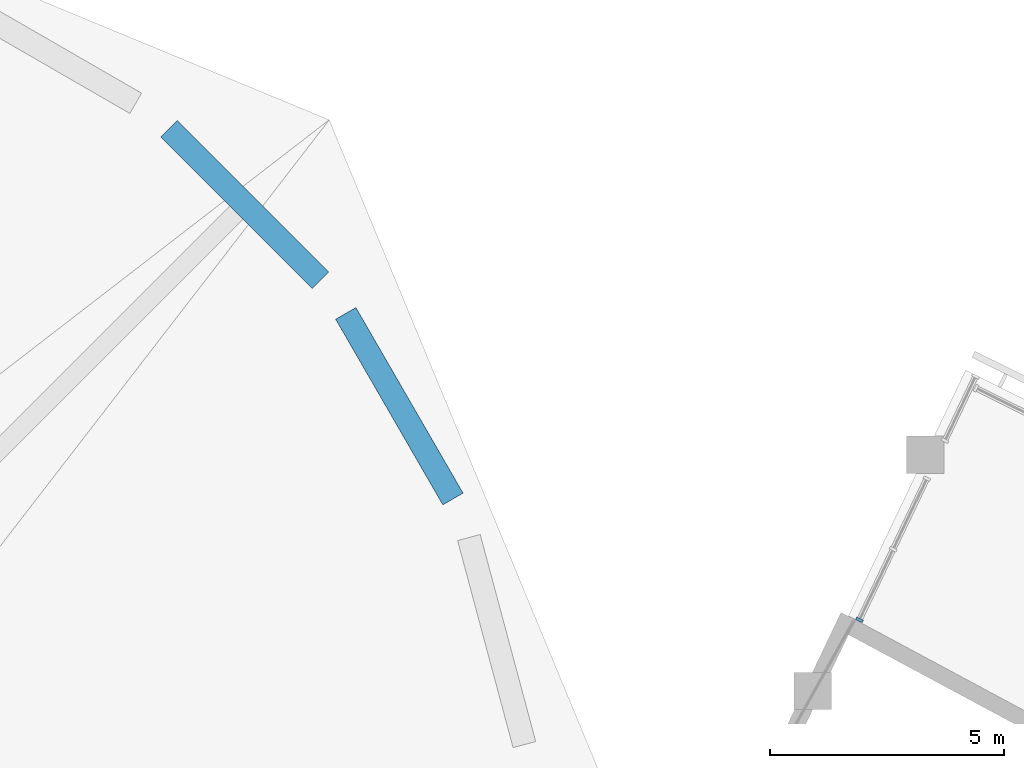
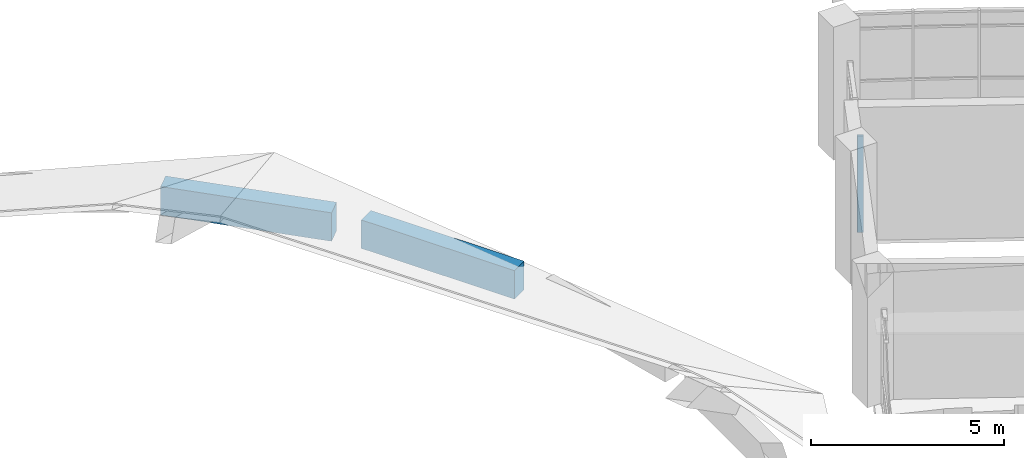
# One storey, part 13 of 137: 2 beams, 1 member, 1 element without a shape of its own.
"""IFC4 building model written with IfcOpenShell, lengths in metres."""

from ifc_helpers import new_model, si_unit, direction, frame, origin, origin_2d, place, context, subcontext, project, spatial, rectangle, extrude, material, material_profile, profile_set, type_object, element, aggregate, save


model = new_model("IFC4")

# Units and contexts
model_context = context("Model", 3, precision=1e-05, world=origin(), true_north=direction((0.0, 1.0)))
body_context = subcontext(model_context, "Body", "Model", "MODEL_VIEW")
ifc_project = project(units=[si_unit("LENGTHUNIT", "METRE"), si_unit("AREAUNIT", "SQUARE_METRE"), si_unit("VOLUMEUNIT", "CUBIC_METRE"), si_unit("PLANEANGLEUNIT", "RADIAN"), si_unit("MASSUNIT", "GRAM", prefix="KILO")], contexts=[model_context])

# Site, building, storey
site_placement = place(None, origin())
site = spatial("IfcSite", under=ifc_project, at=site_placement, CompositionType="ELEMENT")
building_placement = place(site_placement, origin())
building = spatial("IfcBuilding", under=site, at=building_placement, Name="Bougainvillea Quay General Hospital", CompositionType="ELEMENT")
storey_placement = place(building_placement, frame((0.0, 0.0, 16.800048828125)))
storey = spatial("IfcBuildingStorey", under=building, at=storey_placement, Name="L03", CompositionType="ELEMENT", Elevation=16.800048828125)

# Curtain wall, member
ifc_material_1 = material(Name="Aluminium curtain wall system, powder-coated glazed", Category="aluminium")
curtain_wall_type = type_object("IfcCurtainWallType", Name="Unitised curtain wall CW-1703", PredefinedType="NOTDEFINED", material=ifc_material_1)
curtain_wall_placement = place(storey_placement, origin())
curtain_wall = element("IfcCurtainWall", 1, at=curtain_wall_placement, inside=storey, type_object=curtain_wall_type, Name="CW-AE 01", PredefinedType="NOTDEFINED")
ifc_material_2 = material(Name="Aluminium mullion, powder-coated charcoal", Category="aluminium")
ifc_material_profile_1 = material_profile(ifc_material_2, rectangle(XDim=0.159912109375, YDim=0.06005859375, at=origin_2d()))
ifc_profile_set_1 = profile_set([ifc_material_profile_1], Name="Aluminium mullion, powder-coated charcoal")
member_type = type_object("IfcMemberType", Name="Curtain wall mullion 160x60", PredefinedType="MULLION", material=ifc_profile_set_1)
member_placement = place(storey_placement, frame((137.066650390625, 79.842529296875, 0.0), z_axis=(0.0, 0.0, 1.0), x_axis=(0.902578440897, -0.430525444112, 0.0)))
member = element("IfcMember", 2, at=member_placement, type_object=member_type, Name="CW-AE mullion 3", PredefinedType="MULLION", context=body_context, shape_type="SweptSolid", body=[
    extrude(rectangle(XDim=0.159912109375, YDim=0.06005859375, at=origin_2d()), origin(), (0.0, 0.0, 1.0), 3.050048828125),
])
aggregate(curtain_wall, [member])

# Beams
ifc_material_3 = material(Name="Concrete C40", Category="concrete")
ifc_material_profile_2 = material_profile(ifc_material_3, rectangle(XDim=0.5, YDim=0.89990234375, at=origin_2d()))
ifc_profile_set_2 = profile_set([ifc_material_profile_2], Name="Concrete C40")
beam_type = type_object("IfcBeamType", Name="RC BEAM 500x900 C40", PredefinedType="BEAM", material=ifc_profile_set_2)
beam_1_placement = place(storey_placement, frame((128.3759765625, 82.42578125, -0.0517578125), z_axis=(-0.499966888589, 0.866044519823, 0.0), x_axis=(-0.866044519823, -0.499966888589, 0.0)))
element("IfcBeam", 3, at=beam_1_placement, inside=storey, type_object=beam_type, Name="Beam ROOF-V1-ER-02", PredefinedType="BEAM", context=body_context, shape_type="SweptSolid", body=[
    extrude(rectangle(XDim=0.5, YDim=0.89990234375, at=origin_2d()), origin(), (0.0, 0.0, 1.0), 4.582275390625),
])
beam_2_placement = place(storey_placement, frame((125.541748046875, 87.102294921875, -0.0517578125), z_axis=(-0.707106781187, 0.707106781187, 0.0), x_axis=(-0.707106781187, -0.707106781187, 0.0)))
element("IfcBeam", 4, at=beam_2_placement, inside=storey, type_object=beam_type, Name="Beam ROOF-V1-ER-03", PredefinedType="BEAM", context=body_context, shape_type="SweptSolid", body=[
    extrude(rectangle(XDim=0.5, YDim=0.89990234375, at=origin_2d()), origin(), (0.0, 0.0, 1.0), 4.581298828125),
])

save(model, "model.ifc")
